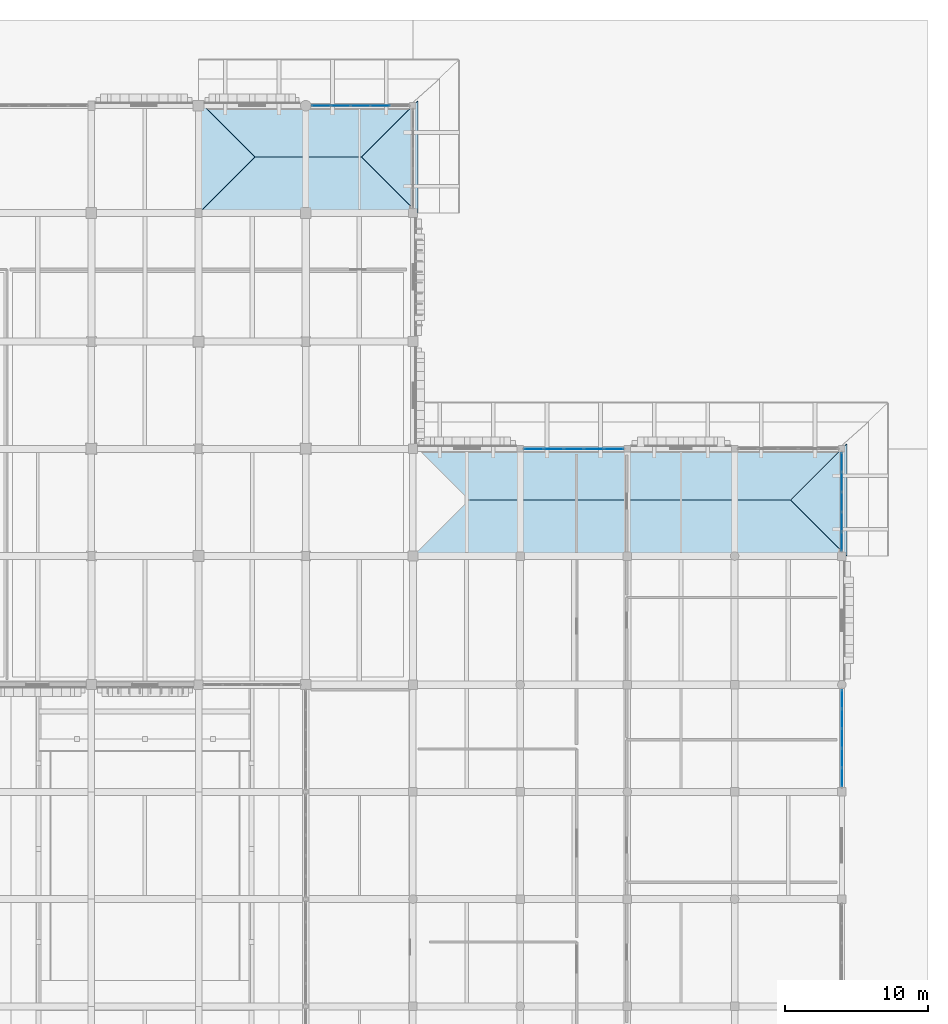
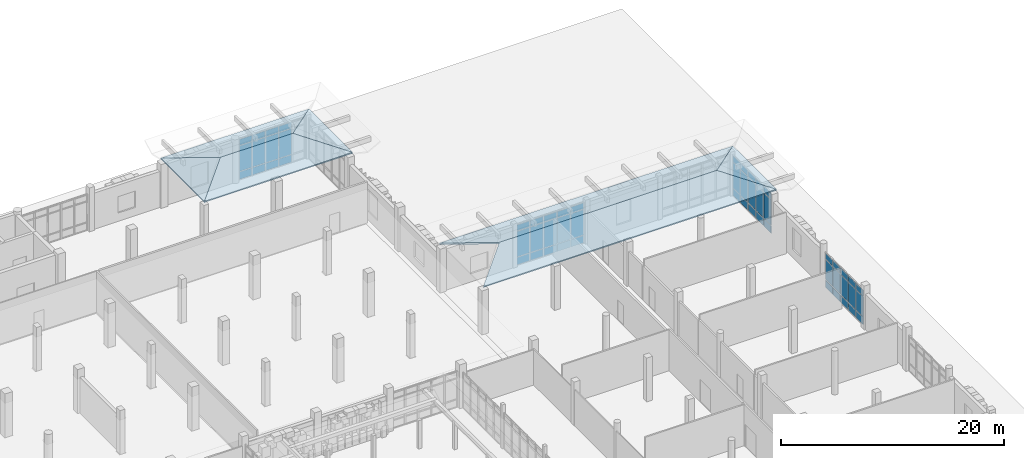
# One storey, part 85 of 125: 57 plates, 7 slabs, 6 elements without a shape of their own.
"""IFC4 building model written with IfcOpenShell, lengths in metres."""

import ifcopenshell
import ifcopenshell.guid

model = None  # the IFC model being written
_history = None  # IfcOwnerHistory: only IFC2X3 demands one
_inside = {}  # id of a spatial element -> (the spatial element, [elements in it])
_under = {}  # id of a project, library or spatial element -> (it, [spatial elements below it])
_declared = {}  # id of a project -> (the project, [libraries it declares])
_typed = {}  # id of a type object -> (the type object, [elements of that type])
_made_of = {}  # id of a material, layer set ... -> (it, [elements and type objects made of it])


def new_model(schema):
    """Start an empty IFC model of exactly this schema.

    Asked for "IFC4X3", IfcOpenShell would pick the latest addendum, in which some entities
    have other attributes; the version numbers below select the first issue.
    IFC2X3 requires an IfcOwnerHistory on every rooted entity: one is made here for all.
    """
    global model, _history
    if schema == "IFC4X3":
        model = ifcopenshell.file(schema_version=(4, 3, 0, 0))
    else:
        model = ifcopenshell.file(schema=schema)
    _inside.clear()
    _under.clear()
    _declared.clear()
    _typed.clear()
    _made_of.clear()
    _history = None
    if model.schema == "IFC2X3":
        org = make("IfcOrganization", Name="unknown")
        user = make(
            "IfcPersonAndOrganization",
            ThePerson=make("IfcPerson", FamilyName="unknown"),
            TheOrganization=org,
        )
        app = make(
            "IfcApplication",
            ApplicationDeveloper=org,
            Version="unknown",
            ApplicationFullName="unknown",
            ApplicationIdentifier="unknown",
        )
        _history = make(
            "IfcOwnerHistory",
            OwningUser=user,
            OwningApplication=app,
            ChangeAction="ADDED",
            CreationDate=0,
        )
    return model


def make(cls, **values):
    """One entity of the class cls with the attributes given. An attribute that is None is left unset."""
    return model.create_entity(
        cls, **{name: value for name, value in values.items() if value is not None}
    )


def rooted(cls, **values):
    """An entity with a GlobalId (a new one), such as an element, a storey or a relation."""
    return make(cls, GlobalId=ifcopenshell.guid.new(), OwnerHistory=_history, **values)


def si_unit(unit_type, name, prefix=None):
    """IfcSIUnit, for example si_unit("LENGTHUNIT", "METRE", prefix="MILLI")."""
    return make("IfcSIUnit", UnitType=unit_type, Prefix=prefix, Name=name)


def assignment(units):
    """IfcUnitAssignment: the units of a project."""
    return None if units is None else make("IfcUnitAssignment", Units=units)


def point(xyz):
    """IfcCartesianPoint."""
    return None if xyz is None else make("IfcCartesianPoint", Coordinates=xyz)


def direction(xyz):
    """IfcDirection."""
    return None if xyz is None else make("IfcDirection", DirectionRatios=xyz)


def frame(location, z_axis=None, x_axis=None):
    """IfcAxis2Placement3D, a coordinate frame: its origin and axes. An axis left out is left unset."""
    return make(
        "IfcAxis2Placement3D",
        Location=point(location),
        Axis=direction(z_axis),
        RefDirection=direction(x_axis),
    )


def frame_2d(location, x_axis=None):
    """IfcAxis2Placement2D, a coordinate frame in the plane: its origin and x axis."""
    return make(
        "IfcAxis2Placement2D", Location=point(location), RefDirection=direction(x_axis)
    )


def origin():
    """The frame at (0, 0, 0) with its axes left unset."""
    return frame((0.0, 0.0, 0.0))


def origin_2d():
    """The frame at (0, 0) in the plane with its x axis left unset."""
    return frame_2d((0.0, 0.0))


def place(relative_to, where):
    """IfcLocalPlacement: puts the frame where relative to a parent placement (None: the world)."""
    return make(
        "IfcLocalPlacement", PlacementRelTo=relative_to, RelativePlacement=where
    )


def context(
    kind, dimensions, precision=None, world=None, true_north=None, identifier=None
):
    """IfcGeometricRepresentationContext, for example the 3D "Model" context."""
    return make(
        "IfcGeometricRepresentationContext",
        ContextIdentifier=identifier,
        ContextType=kind,
        CoordinateSpaceDimension=dimensions,
        Precision=precision,
        WorldCoordinateSystem=world,
        TrueNorth=true_north,
    )


def subcontext(parent, identifier, kind, view, scale=None):
    """IfcGeometricRepresentationSubContext, for example "Body" below "Model"."""
    return make(
        "IfcGeometricRepresentationSubContext",
        ContextIdentifier=identifier,
        ContextType=kind,
        ParentContext=parent,
        TargetScale=scale,
        TargetView=view,
    )


def project(units=None, contexts=None):
    """IfcProject with its units and contexts."""
    return rooted(
        "IfcProject",
        Name="project",
        RepresentationContexts=contexts,
        UnitsInContext=assignment(units),
    )


def spatial(cls, under=None, at=None, **own):
    """A site, building, storey or space (cls), placed at a placement, below another one or the project."""
    s = rooted(cls, ObjectPlacement=at, **own)
    if under is not None:
        _under.setdefault(under.id(), (under, []))[1].append(s)
    return s


def polyline(points):
    """IfcPolyline through the points."""
    return make("IfcPolyline", Points=[point(p) for p in points])


def profile(cls, at=None, kind="AREA", **sizes):
    """A parametric profile (cls). Its sizes go by their IFC names, for example OverallWidth=200.0."""
    return make(cls, ProfileType=kind, Position=at, **sizes)


def rectangle(**sizes):
    """IfcRectangleProfileDef."""
    return profile("IfcRectangleProfileDef", **sizes)


def outline(outer, holes=None, kind="AREA"):
    """IfcArbitraryClosedProfileDef: a profile drawn as a closed curve; with holes, ...WithVoids."""
    if holes is None:
        return make("IfcArbitraryClosedProfileDef", ProfileType=kind, OuterCurve=outer)
    return make(
        "IfcArbitraryProfileDefWithVoids",
        ProfileType=kind,
        OuterCurve=outer,
        InnerCurves=holes,
    )


def extrude(swept, where, along, depth):
    """IfcExtrudedAreaSolid: the profile swept, set in the frame where, extruded along a direction by depth."""
    return make(
        "IfcExtrudedAreaSolid",
        SweptArea=swept,
        Position=where,
        ExtrudedDirection=direction(along),
        Depth=depth,
    )


def shape(context_of_items, identifier, shape_type, items):
    """IfcShapeRepresentation: the items that make up one representation, for example the "Body"."""
    return make(
        "IfcShapeRepresentation",
        ContextOfItems=context_of_items,
        RepresentationIdentifier=identifier,
        RepresentationType=shape_type,
        Items=items,
    )


def material(Name=None, Category=None):
    """IfcMaterial."""
    return make("IfcMaterial", Name=Name, Category=Category)


def layer(
    of_material, thickness, ventilated=None, Name=None, Category=None, Priority=None
):
    """IfcMaterialLayer: one layer of a wall or slab, of a material (None: an air gap)."""
    return make(
        "IfcMaterialLayer",
        Material=of_material,
        LayerThickness=thickness,
        IsVentilated=ventilated,
        Name=Name,
        Category=Category,
        Priority=Priority,
    )


def layer_set(layers, Name=None):
    """IfcMaterialLayerSet."""
    return make("IfcMaterialLayerSet", MaterialLayers=layers, LayerSetName=Name)


def made_of(thing, what):
    """Note that an element or type object is made of a material, layer set ...; save() writes the relation."""
    if what is not None:
        _made_of.setdefault(what.id(), (what, []))[1].append(thing)
    return thing


def type_object(cls, material=None, **own):
    """A type object (cls), such as IfcWallType, which elements share."""
    return made_of(rooted(cls, **own), material)


def element(
    cls,
    number,
    at=None,
    inside=None,
    cuts=None,
    type_object=None,
    material=None,
    context=None,
    identifier="Body",
    shape_type=None,
    held_by="IfcProductDefinitionShape",
    body=None,
    shapes=None,
    **own,
):
    """One element of the class cls, such as IfcWall. Its Tag is "e" and its number.

    at: its placement. inside: the storey or other place that contains it. cuts: it is an
    opening in that element (IfcRelVoidsElement). A single representation is given by context,
    identifier, shape_type and body (its items); several are given by shapes. held_by: the class
    of the entity that holds the representations. save() writes the other relations.
    """
    e = rooted(cls, Tag="e%d" % number, ObjectPlacement=at, **own)
    if body is not None:
        shapes = [shape(context, identifier, shape_type, body)]
    if shapes is not None:
        e.Representation = make(held_by, Representations=shapes)
    if inside is not None:
        _inside.setdefault(inside.id(), (inside, []))[1].append(e)
    if cuts is not None:
        rooted(
            "IfcRelVoidsElement", RelatingBuildingElement=cuts, RelatedOpeningElement=e
        )
    if type_object is not None:
        _typed.setdefault(type_object.id(), (type_object, []))[1].append(e)
    return made_of(e, material)


def aggregate(whole, parts):
    """IfcRelAggregates: a whole, such as a stair, and the parts it consists of."""
    return rooted("IfcRelAggregates", RelatingObject=whole, RelatedObjects=parts)


def save(model, path):
    """Write the relations noted so far, then the file.

    IfcRelAggregates (storeys below a building ...), IfcRelContainedInSpatialStructure (elements
    in a storey), IfcRelDefinesByType, IfcRelAssociatesMaterial and IfcRelDeclares: one each for
    every whole, place, type object, material and project.
    """
    for whole, parts in _under.values():
        aggregate(whole, parts)
    for where, things in _inside.values():
        rooted(
            "IfcRelContainedInSpatialStructure",
            RelatedElements=things,
            RelatingStructure=where,
        )
    for kind, things in _typed.values():
        rooted("IfcRelDefinesByType", RelatedObjects=things, RelatingType=kind)
    for what, things in _made_of.values():
        rooted("IfcRelAssociatesMaterial", RelatedObjects=things, RelatingMaterial=what)
    for by, libraries in _declared.values():
        rooted("IfcRelDeclares", RelatingContext=by, RelatedDefinitions=libraries)
    model.write(path)


model = new_model("IFC4")

# Units and contexts
model_context = context("Model", 3, precision=1e-05, world=origin(), true_north=direction((0.0, 1.0)))
body_context = subcontext(model_context, "Body", "Model", "MODEL_VIEW")
ifc_project = project(units=[si_unit("LENGTHUNIT", "METRE"), si_unit("AREAUNIT", "SQUARE_METRE"), si_unit("VOLUMEUNIT", "CUBIC_METRE"), si_unit("PLANEANGLEUNIT", "RADIAN"), si_unit("MASSUNIT", "GRAM", prefix="KILO")], contexts=[model_context])

# Site, building, storey
site_placement = place(None, origin())
site = spatial("IfcSite", under=ifc_project, at=site_placement, CompositionType="ELEMENT")
building_placement = place(site_placement, origin())
building = spatial("IfcBuilding", under=site, at=building_placement, Name="Dalvernix Boulevard General Hospital", CompositionType="ELEMENT")
storey_placement = place(building_placement, origin())
storey = spatial("IfcBuildingStorey", under=building, at=storey_placement, Name="L00", CompositionType="ELEMENT", Elevation=0.0)

# Curtain wall, plates
ifc_material_1 = material(Name="Thermally broken aluminium and solar-control glass curtain wall", Category="aluminium")
ifc_layer_1 = layer(ifc_material_1, 0.159912109375)
ifc_layer_set_1 = layer_set([ifc_layer_1], Name="Thermally broken aluminium and solar-control glass curtain wall (CW-CW-A-69x45)")
curtain_wall_type_1 = type_object("IfcCurtainWallType", Name="CW-CW-A-69x45", PredefinedType="USERDEFINED", material=ifc_layer_set_1)
curtain_wall_1_placement = place(storey_placement, origin())
curtain_wall_1 = element("IfcCurtainWall", 1, at=curtain_wall_1_placement, inside=storey, type_object=curtain_wall_type_1, Name="L00 curtain wall CW-A-69x45 18-15", ObjectType="GLAZED FACADE", PredefinedType="USERDEFINED")
ifc_material_2 = material(Name="Double-glazed solar-control low-emissivity glass", Category="glass")
ifc_layer_2 = layer(ifc_material_2, 0.02392578125)
ifc_layer_set_2 = layer_set([ifc_layer_2], Name="Double-glazed solar-control low-emissivity glass (PLT-CW-P1)")
plate_type_1 = type_object("IfcPlateType", Name="PLT-CW-P1", PredefinedType="CURTAIN_PANEL", material=ifc_layer_set_2)
plate_1_placement = place(storey_placement, frame((136.087890625, 117.0, 0.06005859375), z_axis=(0.0, 0.0, 1.0), x_axis=(1.0, 0.0, 0.0)))
plate_1 = element("IfcPlate", 2, at=plate_1_placement, type_object=plate_type_1, Name="CW-A-69x45 panel 1.1", PredefinedType="CURTAIN_PANEL", context=body_context, shape_type="SweptSolid", body=[
    extrude(rectangle(XDim=1.285888671875, YDim=0.02392578125, at=origin_2d()), origin(), (0.0, 0.0, 1.0), 0.81005859375),
])
plate_2_placement = place(storey_placement, frame((136.087890625, 117.0, 0.929931640625), z_axis=(0.0, 0.0, 1.0), x_axis=(1.0, 0.0, 0.0)))
plate_2 = element("IfcPlate", 3, at=plate_2_placement, type_object=plate_type_1, Name="CW-A-69x45 panel 1.2", PredefinedType="CURTAIN_PANEL", context=body_context, shape_type="SweptSolid", body=[
    extrude(rectangle(XDim=1.285888671875, YDim=0.02392578125, at=origin_2d()), origin(), (0.0, 0.0, 1.0), 2.7900390625),
])
plate_3_placement = place(storey_placement, frame((136.087890625, 117.0, 3.7802734375), z_axis=(0.0, 0.0, 1.0), x_axis=(1.0, 0.0, 0.0)))
plate_3 = element("IfcPlate", 4, at=plate_3_placement, type_object=plate_type_1, Name="CW-A-69x45 panel 1.3", PredefinedType="CURTAIN_PANEL", context=body_context, shape_type="SweptSolid", body=[
    extrude(rectangle(XDim=1.285888671875, YDim=0.02392578125, at=origin_2d()), origin(), (0.0, 0.0, 1.0), 0.659912109375),
])
plate_4_placement = place(storey_placement, frame((137.448974609375, 117.0, 0.06005859375), z_axis=(0.0, 0.0, 1.0), x_axis=(1.0, 0.0, 0.0)))
plate_4 = element("IfcPlate", 5, at=plate_4_placement, type_object=plate_type_1, Name="CW-A-69x45 panel 2.1", PredefinedType="CURTAIN_PANEL", context=body_context, shape_type="SweptSolid", body=[
    extrude(rectangle(XDim=1.31591796875, YDim=0.02392578125, at=origin_2d()), origin(), (0.0, 0.0, 1.0), 0.81005859375),
])
plate_5_placement = place(storey_placement, frame((137.448974609375, 117.0, 0.929931640625), z_axis=(0.0, 0.0, 1.0), x_axis=(1.0, 0.0, 0.0)))
plate_5 = element("IfcPlate", 6, at=plate_5_placement, type_object=plate_type_1, Name="CW-A-69x45 panel 2.2", PredefinedType="CURTAIN_PANEL", context=body_context, shape_type="SweptSolid", body=[
    extrude(rectangle(XDim=1.31591796875, YDim=0.02392578125, at=origin_2d()), origin(), (0.0, 0.0, 1.0), 2.7900390625),
])
plate_6_placement = place(storey_placement, frame((137.448974609375, 117.0, 3.7802734375), z_axis=(0.0, 0.0, 1.0), x_axis=(1.0, 0.0, 0.0)))
plate_6 = element("IfcPlate", 7, at=plate_6_placement, type_object=plate_type_1, Name="CW-A-69x45 panel 2.3", PredefinedType="CURTAIN_PANEL", context=body_context, shape_type="SweptSolid", body=[
    extrude(rectangle(XDim=1.31591796875, YDim=0.02392578125, at=origin_2d()), origin(), (0.0, 0.0, 1.0), 0.659912109375),
])
plate_7_placement = place(storey_placement, frame((138.824951171875, 117.0, 0.06005859375), z_axis=(0.0, 0.0, 1.0), x_axis=(1.0, 0.0, 0.0)))
plate_7 = element("IfcPlate", 8, at=plate_7_placement, type_object=plate_type_1, Name="CW-A-69x45 panel 3.1", PredefinedType="CURTAIN_PANEL", context=body_context, shape_type="SweptSolid", body=[
    extrude(rectangle(XDim=1.31591796875, YDim=0.02392578125, at=origin_2d()), origin(), (0.0, 0.0, 1.0), 0.81005859375),
])
plate_8_placement = place(storey_placement, frame((138.824951171875, 117.0, 0.929931640625), z_axis=(0.0, 0.0, 1.0), x_axis=(1.0, 0.0, 0.0)))
plate_8 = element("IfcPlate", 9, at=plate_8_placement, type_object=plate_type_1, Name="CW-A-69x45 panel 3.2", PredefinedType="CURTAIN_PANEL", context=body_context, shape_type="SweptSolid", body=[
    extrude(rectangle(XDim=1.31591796875, YDim=0.02392578125, at=origin_2d()), origin(), (0.0, 0.0, 1.0), 2.7900390625),
])
plate_9_placement = place(storey_placement, frame((138.824951171875, 117.0, 3.7802734375), z_axis=(0.0, 0.0, 1.0), x_axis=(1.0, 0.0, 0.0)))
plate_9 = element("IfcPlate", 10, at=plate_9_placement, type_object=plate_type_1, Name="CW-A-69x45 panel 3.3", PredefinedType="CURTAIN_PANEL", context=body_context, shape_type="SweptSolid", body=[
    extrude(rectangle(XDim=1.31591796875, YDim=0.02392578125, at=origin_2d()), origin(), (0.0, 0.0, 1.0), 0.659912109375),
])
plate_10_placement = place(storey_placement, frame((140.200927734375, 117.0, 0.06005859375), z_axis=(0.0, 0.0, 1.0), x_axis=(1.0, 0.0, 0.0)))
plate_10 = element("IfcPlate", 11, at=plate_10_placement, type_object=plate_type_1, Name="CW-A-69x45 panel 4.1", PredefinedType="CURTAIN_PANEL", context=body_context, shape_type="SweptSolid", body=[
    extrude(rectangle(XDim=1.31591796875, YDim=0.02392578125, at=origin_2d()), origin(), (0.0, 0.0, 1.0), 0.81005859375),
])
plate_11_placement = place(storey_placement, frame((140.200927734375, 117.0, 0.929931640625), z_axis=(0.0, 0.0, 1.0), x_axis=(1.0, 0.0, 0.0)))
plate_11 = element("IfcPlate", 12, at=plate_11_placement, type_object=plate_type_1, Name="CW-A-69x45 panel 4.2", PredefinedType="CURTAIN_PANEL", context=body_context, shape_type="SweptSolid", body=[
    extrude(rectangle(XDim=1.31591796875, YDim=0.02392578125, at=origin_2d()), origin(), (0.0, 0.0, 1.0), 2.7900390625),
])
plate_12_placement = place(storey_placement, frame((140.200927734375, 117.0, 3.7802734375), z_axis=(0.0, 0.0, 1.0), x_axis=(1.0, 0.0, 0.0)))
plate_12 = element("IfcPlate", 13, at=plate_12_placement, type_object=plate_type_1, Name="CW-A-69x45 panel 4.3", PredefinedType="CURTAIN_PANEL", context=body_context, shape_type="SweptSolid", body=[
    extrude(rectangle(XDim=1.31591796875, YDim=0.02392578125, at=origin_2d()), origin(), (0.0, 0.0, 1.0), 0.659912109375),
])
aggregate(curtain_wall_1, [plate_1, plate_2, plate_3, plate_4, plate_5, plate_6, plate_7, plate_8, plate_9, plate_10, plate_11, plate_12])

ifc_layer_3 = layer(ifc_material_1, 0.179931640625)
ifc_layer_set_3 = layer_set([ifc_layer_3], Name="Thermally broken aluminium and solar-control glass curtain wall (CW-CW-B-70x45)")
curtain_wall_type_2 = type_object("IfcCurtainWallType", Name="CW-CW-B-70x45", PredefinedType="USERDEFINED", material=ifc_layer_set_3)
curtain_wall_2_placement = place(storey_placement, origin())
curtain_wall_2 = element("IfcCurtainWall", 14, at=curtain_wall_2_placement, inside=storey, type_object=curtain_wall_type_2, Name="L00 curtain wall CW-B-70x45 23-11", ObjectType="GLAZED FACADE", PredefinedType="USERDEFINED")
ifc_layer_4 = layer(ifc_material_2, 0.028076171875)
ifc_layer_set_4 = layer_set([ifc_layer_4], Name="Double-glazed solar-control low-emissivity glass (PLT-CW-P2)")
plate_type_2 = type_object("IfcPlateType", Name="PLT-CW-P2", PredefinedType="CURTAIN_PANEL", material=ifc_layer_set_4)
plate_13_placement = place(storey_placement, frame((172.5, 92.05322265625, 0.06494140625), z_axis=(0.0, 0.0, 1.0), x_axis=(0.0, -1.0, 0.0)))
plate_13 = element("IfcPlate", 15, at=plate_13_placement, type_object=plate_type_2, Name="CW-B-70x45 panel 1.1", PredefinedType="CURTAIN_PANEL", context=body_context, shape_type="SweptSolid", body=[
    extrude(rectangle(XDim=1.29345703125, YDim=0.028076171875, at=origin_2d()), origin(), (0.0, 0.0, 1.0), 0.802490234375),
])
plate_14_placement = place(storey_placement, frame((172.5, 92.05322265625, 0.9326171875), z_axis=(0.0, 0.0, 1.0), x_axis=(0.0, -1.0, 0.0)))
plate_14 = element("IfcPlate", 16, at=plate_14_placement, type_object=plate_type_2, Name="CW-B-70x45 panel 1.2", PredefinedType="CURTAIN_PANEL", context=body_context, shape_type="SweptSolid", body=[
    extrude(rectangle(XDim=1.29345703125, YDim=0.028076171875, at=origin_2d()), origin(), (0.0, 0.0, 1.0), 2.784912109375),
])
plate_15_placement = place(storey_placement, frame((172.5, 92.05322265625, 3.7822265625), z_axis=(0.0, 0.0, 1.0), x_axis=(0.0, -1.0, 0.0)))
plate_15 = element("IfcPlate", 17, at=plate_15_placement, type_object=plate_type_2, Name="CW-B-70x45 panel 1.3", PredefinedType="CURTAIN_PANEL", context=body_context, shape_type="SweptSolid", body=[
    extrude(rectangle(XDim=1.29345703125, YDim=0.028076171875, at=origin_2d()), origin(), (0.0, 0.0, 1.0), 0.652587890625),
])
plate_16_placement = place(storey_placement, frame((172.5, 90.678466796875, 0.06494140625), z_axis=(0.0, 0.0, 1.0), x_axis=(0.0, -1.0, 0.0)))
plate_16 = element("IfcPlate", 18, at=plate_16_placement, type_object=plate_type_2, Name="CW-B-70x45 panel 2.1", PredefinedType="CURTAIN_PANEL", context=body_context, shape_type="SweptSolid", body=[
    extrude(rectangle(XDim=1.325927734375, YDim=0.028076171875, at=origin_2d()), origin(), (0.0, 0.0, 1.0), 0.802490234375),
])
plate_17_placement = place(storey_placement, frame((172.5, 90.678466796875, 0.9326171875), z_axis=(0.0, 0.0, 1.0), x_axis=(0.0, -1.0, 0.0)))
plate_17 = element("IfcPlate", 19, at=plate_17_placement, type_object=plate_type_2, Name="CW-B-70x45 panel 2.2", PredefinedType="CURTAIN_PANEL", context=body_context, shape_type="SweptSolid", body=[
    extrude(rectangle(XDim=1.325927734375, YDim=0.028076171875, at=origin_2d()), origin(), (0.0, 0.0, 1.0), 2.784912109375),
])
plate_18_placement = place(storey_placement, frame((172.5, 90.678466796875, 3.7822265625), z_axis=(0.0, 0.0, 1.0), x_axis=(0.0, -1.0, 0.0)))
plate_18 = element("IfcPlate", 20, at=plate_18_placement, type_object=plate_type_2, Name="CW-B-70x45 panel 2.3", PredefinedType="CURTAIN_PANEL", context=body_context, shape_type="SweptSolid", body=[
    extrude(rectangle(XDim=1.325927734375, YDim=0.028076171875, at=origin_2d()), origin(), (0.0, 0.0, 1.0), 0.652587890625),
])
plate_19_placement = place(storey_placement, frame((172.5, 89.28759765625, 0.06494140625), z_axis=(0.0, 0.0, 1.0), x_axis=(0.0, -1.0, 0.0)))
plate_19 = element("IfcPlate", 21, at=plate_19_placement, type_object=plate_type_2, Name="CW-B-70x45 panel 3.1", PredefinedType="CURTAIN_PANEL", context=body_context, shape_type="SweptSolid", body=[
    extrude(rectangle(XDim=1.325927734375, YDim=0.028076171875, at=origin_2d()), origin(), (0.0, 0.0, 1.0), 0.802490234375),
])
plate_20_placement = place(storey_placement, frame((172.5, 89.28759765625, 0.9326171875), z_axis=(0.0, 0.0, 1.0), x_axis=(0.0, -1.0, 0.0)))
plate_20 = element("IfcPlate", 22, at=plate_20_placement, type_object=plate_type_2, Name="CW-B-70x45 panel 3.2", PredefinedType="CURTAIN_PANEL", context=body_context, shape_type="SweptSolid", body=[
    extrude(rectangle(XDim=1.325927734375, YDim=0.028076171875, at=origin_2d()), origin(), (0.0, 0.0, 1.0), 2.784912109375),
])
plate_21_placement = place(storey_placement, frame((172.5, 89.28759765625, 3.7822265625), z_axis=(0.0, 0.0, 1.0), x_axis=(0.0, -1.0, 0.0)))
plate_21 = element("IfcPlate", 23, at=plate_21_placement, type_object=plate_type_2, Name="CW-B-70x45 panel 3.3", PredefinedType="CURTAIN_PANEL", context=body_context, shape_type="SweptSolid", body=[
    extrude(rectangle(XDim=1.325927734375, YDim=0.028076171875, at=origin_2d()), origin(), (0.0, 0.0, 1.0), 0.652587890625),
])
plate_22_placement = place(storey_placement, frame((172.5, 87.896484375, 0.06494140625), z_axis=(0.0, 0.0, 1.0), x_axis=(0.0, -1.0, 0.0)))
plate_22 = element("IfcPlate", 24, at=plate_22_placement, type_object=plate_type_2, Name="CW-B-70x45 panel 4.1", PredefinedType="CURTAIN_PANEL", context=body_context, shape_type="SweptSolid", body=[
    extrude(rectangle(XDim=1.325927734375, YDim=0.028076171875, at=origin_2d()), origin(), (0.0, 0.0, 1.0), 0.802490234375),
])
plate_23_placement = place(storey_placement, frame((172.5, 87.896484375, 0.9326171875), z_axis=(0.0, 0.0, 1.0), x_axis=(0.0, -1.0, 0.0)))
plate_23 = element("IfcPlate", 25, at=plate_23_placement, type_object=plate_type_2, Name="CW-B-70x45 panel 4.2", PredefinedType="CURTAIN_PANEL", context=body_context, shape_type="SweptSolid", body=[
    extrude(rectangle(XDim=1.325927734375, YDim=0.028076171875, at=origin_2d()), origin(), (0.0, 0.0, 1.0), 2.784912109375),
])
plate_24_placement = place(storey_placement, frame((172.5, 87.896484375, 3.7822265625), z_axis=(0.0, 0.0, 1.0), x_axis=(0.0, -1.0, 0.0)))
plate_24 = element("IfcPlate", 26, at=plate_24_placement, type_object=plate_type_2, Name="CW-B-70x45 panel 4.3", PredefinedType="CURTAIN_PANEL", context=body_context, shape_type="SweptSolid", body=[
    extrude(rectangle(XDim=1.325927734375, YDim=0.028076171875, at=origin_2d()), origin(), (0.0, 0.0, 1.0), 0.652587890625),
])
plate_25_placement = place(storey_placement, frame((172.5, 86.521728515625, 0.06494140625), z_axis=(0.0, 0.0, 1.0), x_axis=(0.0, -1.0, 0.0)))
plate_25 = element("IfcPlate", 27, at=plate_25_placement, type_object=plate_type_2, Name="CW-B-70x45 panel 5.1", PredefinedType="CURTAIN_PANEL", context=body_context, shape_type="SweptSolid", body=[
    extrude(rectangle(XDim=1.29345703125, YDim=0.028076171875, at=origin_2d()), origin(), (0.0, 0.0, 1.0), 0.802490234375),
])
plate_26_placement = place(storey_placement, frame((172.5, 86.521728515625, 0.9326171875), z_axis=(0.0, 0.0, 1.0), x_axis=(0.0, -1.0, 0.0)))
plate_26 = element("IfcPlate", 28, at=plate_26_placement, type_object=plate_type_2, Name="CW-B-70x45 panel 5.2", PredefinedType="CURTAIN_PANEL", context=body_context, shape_type="SweptSolid", body=[
    extrude(rectangle(XDim=1.29345703125, YDim=0.028076171875, at=origin_2d()), origin(), (0.0, 0.0, 1.0), 2.784912109375),
])
plate_27_placement = place(storey_placement, frame((172.5, 86.521728515625, 3.7822265625), z_axis=(0.0, 0.0, 1.0), x_axis=(0.0, -1.0, 0.0)))
plate_27 = element("IfcPlate", 29, at=plate_27_placement, type_object=plate_type_2, Name="CW-B-70x45 panel 5.3", PredefinedType="CURTAIN_PANEL", context=body_context, shape_type="SweptSolid", body=[
    extrude(rectangle(XDim=1.29345703125, YDim=0.028076171875, at=origin_2d()), origin(), (0.0, 0.0, 1.0), 0.652587890625),
])
aggregate(curtain_wall_2, [plate_13, plate_14, plate_15, plate_16, plate_17, plate_18, plate_19, plate_20, plate_21, plate_22, plate_23, plate_24, plate_25, plate_26, plate_27])

ifc_layer_5 = layer(ifc_material_1, 0.199951171875)
ifc_layer_set_5 = layer_set([ifc_layer_5], Name="Thermally broken aluminium and solar-control glass curtain wall (CW-CW-C-70x45)")
curtain_wall_type_3 = type_object("IfcCurtainWallType", Name="CW-CW-C-70x45", PredefinedType="USERDEFINED", material=ifc_layer_set_5)
curtain_wall_3_placement = place(storey_placement, origin())
curtain_wall_3 = element("IfcCurtainWall", 30, at=curtain_wall_3_placement, inside=storey, type_object=curtain_wall_type_3, Name="L00 curtain wall CW-C-70x45 20-12", ObjectType="GLAZED FACADE", PredefinedType="USERDEFINED")
ifc_layer_6 = layer(ifc_material_2, 0.035888671875)
ifc_layer_set_6 = layer_set([ifc_layer_6], Name="Double-glazed solar-control low-emissivity glass (PLT-CW-P3)")
plate_type_3 = type_object("IfcPlateType", Name="PLT-CW-P3", PredefinedType="CURTAIN_PANEL", material=ifc_layer_set_6)
plate_28_placement = place(storey_placement, frame((150.95556640625, 93.0, 0.070068359375), z_axis=(0.0, 0.0, 1.0), x_axis=(1.0, 0.0, 0.0)))
plate_28 = element("IfcPlate", 31, at=plate_28_placement, type_object=plate_type_3, Name="CW-C-70x45 panel 1.1", PredefinedType="CURTAIN_PANEL", context=body_context, shape_type="SweptSolid", body=[
    extrude(rectangle(XDim=1.301025390625, YDim=0.035888671875, at=origin_2d()), origin(), (0.0, 0.0, 1.0), 0.794921875),
])
plate_29_placement = place(storey_placement, frame((150.95556640625, 93.0, 0.93505859375), z_axis=(0.0, 0.0, 1.0), x_axis=(1.0, 0.0, 0.0)))
plate_29 = element("IfcPlate", 32, at=plate_29_placement, type_object=plate_type_3, Name="CW-C-70x45 panel 1.2", PredefinedType="CURTAIN_PANEL", context=body_context, shape_type="SweptSolid", body=[
    extrude(rectangle(XDim=1.301025390625, YDim=0.035888671875, at=origin_2d()), origin(), (0.0, 0.0, 1.0), 2.780029296875),
])
plate_30_placement = place(storey_placement, frame((150.95556640625, 93.0, 3.784912109375), z_axis=(0.0, 0.0, 1.0), x_axis=(1.0, 0.0, 0.0)))
plate_30 = element("IfcPlate", 33, at=plate_30_placement, type_object=plate_type_3, Name="CW-C-70x45 panel 1.3", PredefinedType="CURTAIN_PANEL", context=body_context, shape_type="SweptSolid", body=[
    extrude(rectangle(XDim=1.301025390625, YDim=0.035888671875, at=origin_2d()), origin(), (0.0, 0.0, 1.0), 0.64501953125),
])
plate_31_placement = place(storey_placement, frame((152.343994140625, 93.0, 0.070068359375), z_axis=(0.0, 0.0, 1.0), x_axis=(1.0, 0.0, 0.0)))
plate_31 = element("IfcPlate", 34, at=plate_31_placement, type_object=plate_type_3, Name="CW-C-70x45 panel 2.1", PredefinedType="CURTAIN_PANEL", context=body_context, shape_type="SweptSolid", body=[
    extrude(rectangle(XDim=1.3359375, YDim=0.035888671875, at=origin_2d()), origin(), (0.0, 0.0, 1.0), 0.794921875),
])
plate_32_placement = place(storey_placement, frame((152.343994140625, 93.0, 0.93505859375), z_axis=(0.0, 0.0, 1.0), x_axis=(1.0, 0.0, 0.0)))
plate_32 = element("IfcPlate", 35, at=plate_32_placement, type_object=plate_type_3, Name="CW-C-70x45 panel 2.2", PredefinedType="CURTAIN_PANEL", context=body_context, shape_type="SweptSolid", body=[
    extrude(rectangle(XDim=1.3359375, YDim=0.035888671875, at=origin_2d()), origin(), (0.0, 0.0, 1.0), 2.780029296875),
])
plate_33_placement = place(storey_placement, frame((152.343994140625, 93.0, 3.784912109375), z_axis=(0.0, 0.0, 1.0), x_axis=(1.0, 0.0, 0.0)))
plate_33 = element("IfcPlate", 36, at=plate_33_placement, type_object=plate_type_3, Name="CW-C-70x45 panel 2.3", PredefinedType="CURTAIN_PANEL", context=body_context, shape_type="SweptSolid", body=[
    extrude(rectangle(XDim=1.3359375, YDim=0.035888671875, at=origin_2d()), origin(), (0.0, 0.0, 1.0), 0.64501953125),
])
plate_34_placement = place(storey_placement, frame((153.75, 93.0, 0.070068359375), z_axis=(0.0, 0.0, 1.0), x_axis=(1.0, 0.0, 0.0)))
plate_34 = element("IfcPlate", 37, at=plate_34_placement, type_object=plate_type_3, Name="CW-C-70x45 panel 3.1", PredefinedType="CURTAIN_PANEL", context=body_context, shape_type="SweptSolid", body=[
    extrude(rectangle(XDim=1.3359375, YDim=0.035888671875, at=origin_2d()), origin(), (0.0, 0.0, 1.0), 0.794921875),
])
plate_35_placement = place(storey_placement, frame((153.75, 93.0, 0.93505859375), z_axis=(0.0, 0.0, 1.0), x_axis=(1.0, 0.0, 0.0)))
plate_35 = element("IfcPlate", 38, at=plate_35_placement, type_object=plate_type_3, Name="CW-C-70x45 panel 3.2", PredefinedType="CURTAIN_PANEL", context=body_context, shape_type="SweptSolid", body=[
    extrude(rectangle(XDim=1.3359375, YDim=0.035888671875, at=origin_2d()), origin(), (0.0, 0.0, 1.0), 2.780029296875),
])
plate_36_placement = place(storey_placement, frame((153.75, 93.0, 3.784912109375), z_axis=(0.0, 0.0, 1.0), x_axis=(1.0, 0.0, 0.0)))
plate_36 = element("IfcPlate", 39, at=plate_36_placement, type_object=plate_type_3, Name="CW-C-70x45 panel 3.3", PredefinedType="CURTAIN_PANEL", context=body_context, shape_type="SweptSolid", body=[
    extrude(rectangle(XDim=1.3359375, YDim=0.035888671875, at=origin_2d()), origin(), (0.0, 0.0, 1.0), 0.64501953125),
])
plate_37_placement = place(storey_placement, frame((155.156005859375, 93.0, 0.070068359375), z_axis=(0.0, 0.0, 1.0), x_axis=(1.0, 0.0, 0.0)))
plate_37 = element("IfcPlate", 40, at=plate_37_placement, type_object=plate_type_3, Name="CW-C-70x45 panel 4.1", PredefinedType="CURTAIN_PANEL", context=body_context, shape_type="SweptSolid", body=[
    extrude(rectangle(XDim=1.3359375, YDim=0.035888671875, at=origin_2d()), origin(), (0.0, 0.0, 1.0), 0.794921875),
])
plate_38_placement = place(storey_placement, frame((155.156005859375, 93.0, 0.93505859375), z_axis=(0.0, 0.0, 1.0), x_axis=(1.0, 0.0, 0.0)))
plate_38 = element("IfcPlate", 41, at=plate_38_placement, type_object=plate_type_3, Name="CW-C-70x45 panel 4.2", PredefinedType="CURTAIN_PANEL", context=body_context, shape_type="SweptSolid", body=[
    extrude(rectangle(XDim=1.3359375, YDim=0.035888671875, at=origin_2d()), origin(), (0.0, 0.0, 1.0), 2.780029296875),
])
plate_39_placement = place(storey_placement, frame((155.156005859375, 93.0, 3.784912109375), z_axis=(0.0, 0.0, 1.0), x_axis=(1.0, 0.0, 0.0)))
plate_39 = element("IfcPlate", 42, at=plate_39_placement, type_object=plate_type_3, Name="CW-C-70x45 panel 4.3", PredefinedType="CURTAIN_PANEL", context=body_context, shape_type="SweptSolid", body=[
    extrude(rectangle(XDim=1.3359375, YDim=0.035888671875, at=origin_2d()), origin(), (0.0, 0.0, 1.0), 0.64501953125),
])
plate_40_placement = place(storey_placement, frame((156.54443359375, 93.0, 0.070068359375), z_axis=(0.0, 0.0, 1.0), x_axis=(1.0, 0.0, 0.0)))
plate_40 = element("IfcPlate", 43, at=plate_40_placement, type_object=plate_type_3, Name="CW-C-70x45 panel 5.1", PredefinedType="CURTAIN_PANEL", context=body_context, shape_type="SweptSolid", body=[
    extrude(rectangle(XDim=1.301025390625, YDim=0.035888671875, at=origin_2d()), origin(), (0.0, 0.0, 1.0), 0.794921875),
])
plate_41_placement = place(storey_placement, frame((156.54443359375, 93.0, 0.93505859375), z_axis=(0.0, 0.0, 1.0), x_axis=(1.0, 0.0, 0.0)))
plate_41 = element("IfcPlate", 44, at=plate_41_placement, type_object=plate_type_3, Name="CW-C-70x45 panel 5.2", PredefinedType="CURTAIN_PANEL", context=body_context, shape_type="SweptSolid", body=[
    extrude(rectangle(XDim=1.301025390625, YDim=0.035888671875, at=origin_2d()), origin(), (0.0, 0.0, 1.0), 2.780029296875),
])
plate_42_placement = place(storey_placement, frame((156.54443359375, 93.0, 3.784912109375), z_axis=(0.0, 0.0, 1.0), x_axis=(1.0, 0.0, 0.0)))
plate_42 = element("IfcPlate", 45, at=plate_42_placement, type_object=plate_type_3, Name="CW-C-70x45 panel 5.3", PredefinedType="CURTAIN_PANEL", context=body_context, shape_type="SweptSolid", body=[
    extrude(rectangle(XDim=1.301025390625, YDim=0.035888671875, at=origin_2d()), origin(), (0.0, 0.0, 1.0), 0.64501953125),
])
aggregate(curtain_wall_3, [plate_28, plate_29, plate_30, plate_31, plate_32, plate_33, plate_34, plate_35, plate_36, plate_37, plate_38, plate_39, plate_40, plate_41, plate_42])

ifc_layer_7 = layer(ifc_material_1, 0.199951171875)
ifc_layer_set_7 = layer_set([ifc_layer_7], Name="Thermally broken aluminium and solar-control glass curtain wall (CW-CW-C-69x39)")
curtain_wall_type_4 = type_object("IfcCurtainWallType", Name="CW-CW-C-69x39", PredefinedType="USERDEFINED", material=ifc_layer_set_7)
curtain_wall_4_placement = place(storey_placement, origin())
curtain_wall_4 = element("IfcCurtainWall", 46, at=curtain_wall_4_placement, inside=storey, type_object=curtain_wall_type_4, Name="L00 curtain wall CW-C-69x39 23-9", ObjectType="GLAZED FACADE", PredefinedType="USERDEFINED")
plate_43_placement = place(storey_placement, frame((172.5, 75.484619140625, 0.070068359375), z_axis=(0.0, 0.0, 1.0), x_axis=(0.0, -1.0, 0.0)))
plate_43 = element("IfcPlate", 47, at=plate_43_placement, type_object=plate_type_3, Name="CW-C-69x39 panel 1.1", PredefinedType="CURTAIN_PANEL", context=body_context, shape_type="SweptSolid", body=[
    extrude(rectangle(XDim=1.27099609375, YDim=0.035888671875, at=origin_2d()), origin(), (0.0, 0.0, 1.0), 0.794921875),
])
plate_44_placement = place(storey_placement, frame((172.5, 75.484619140625, 0.93505859375), z_axis=(0.0, 0.0, 1.0), x_axis=(0.0, -1.0, 0.0)))
plate_44 = element("IfcPlate", 48, at=plate_44_placement, type_object=plate_type_3, Name="CW-C-69x39 panel 1.2", PredefinedType="CURTAIN_PANEL", context=body_context, shape_type="SweptSolid", body=[
    extrude(rectangle(XDim=1.27099609375, YDim=0.035888671875, at=origin_2d()), origin(), (0.0, 0.0, 1.0), 2.179931640625),
])
plate_45_placement = place(storey_placement, frame((172.5, 75.484619140625, 3.18505859375), z_axis=(0.0, 0.0, 1.0), x_axis=(0.0, -1.0, 0.0)))
plate_45 = element("IfcPlate", 49, at=plate_45_placement, type_object=plate_type_3, Name="CW-C-69x39 panel 1.3", PredefinedType="CURTAIN_PANEL", context=body_context, shape_type="SweptSolid", body=[
    extrude(rectangle(XDim=1.27099609375, YDim=0.035888671875, at=origin_2d()), origin(), (0.0, 0.0, 1.0), 0.64501953125),
])
plate_46_placement = place(storey_placement, frame((172.5, 74.1259765625, 0.070068359375), z_axis=(0.0, 0.0, 1.0), x_axis=(0.0, -1.0, 0.0)))
plate_46 = element("IfcPlate", 50, at=plate_46_placement, type_object=plate_type_3, Name="CW-C-69x39 panel 2.1", PredefinedType="CURTAIN_PANEL", context=body_context, shape_type="SweptSolid", body=[
    extrude(rectangle(XDim=1.305908203125, YDim=0.035888671875, at=origin_2d()), origin(), (0.0, 0.0, 1.0), 0.794921875),
])
plate_47_placement = place(storey_placement, frame((172.5, 74.1259765625, 0.93505859375), z_axis=(0.0, 0.0, 1.0), x_axis=(0.0, -1.0, 0.0)))
plate_47 = element("IfcPlate", 51, at=plate_47_placement, type_object=plate_type_3, Name="CW-C-69x39 panel 2.2", PredefinedType="CURTAIN_PANEL", context=body_context, shape_type="SweptSolid", body=[
    extrude(rectangle(XDim=1.305908203125, YDim=0.035888671875, at=origin_2d()), origin(), (0.0, 0.0, 1.0), 2.179931640625),
])
plate_48_placement = place(storey_placement, frame((172.5, 74.1259765625, 3.18505859375), z_axis=(0.0, 0.0, 1.0), x_axis=(0.0, -1.0, 0.0)))
plate_48 = element("IfcPlate", 52, at=plate_48_placement, type_object=plate_type_3, Name="CW-C-69x39 panel 2.3", PredefinedType="CURTAIN_PANEL", context=body_context, shape_type="SweptSolid", body=[
    extrude(rectangle(XDim=1.305908203125, YDim=0.035888671875, at=origin_2d()), origin(), (0.0, 0.0, 1.0), 0.64501953125),
])
plate_49_placement = place(storey_placement, frame((172.5, 72.75, 0.070068359375), z_axis=(0.0, 0.0, 1.0), x_axis=(0.0, -1.0, 0.0)))
plate_49 = element("IfcPlate", 53, at=plate_49_placement, type_object=plate_type_3, Name="CW-C-69x39 panel 3.1", PredefinedType="CURTAIN_PANEL", context=body_context, shape_type="SweptSolid", body=[
    extrude(rectangle(XDim=1.305908203125, YDim=0.035888671875, at=origin_2d()), origin(), (0.0, 0.0, 1.0), 0.794921875),
])
plate_50_placement = place(storey_placement, frame((172.5, 72.75, 0.93505859375), z_axis=(0.0, 0.0, 1.0), x_axis=(0.0, -1.0, 0.0)))
plate_50 = element("IfcPlate", 54, at=plate_50_placement, type_object=plate_type_3, Name="CW-C-69x39 panel 3.2", PredefinedType="CURTAIN_PANEL", context=body_context, shape_type="SweptSolid", body=[
    extrude(rectangle(XDim=1.305908203125, YDim=0.035888671875, at=origin_2d()), origin(), (0.0, 0.0, 1.0), 2.179931640625),
])
plate_51_placement = place(storey_placement, frame((172.5, 72.75, 3.18505859375), z_axis=(0.0, 0.0, 1.0), x_axis=(0.0, -1.0, 0.0)))
plate_51 = element("IfcPlate", 55, at=plate_51_placement, type_object=plate_type_3, Name="CW-C-69x39 panel 3.3", PredefinedType="CURTAIN_PANEL", context=body_context, shape_type="SweptSolid", body=[
    extrude(rectangle(XDim=1.305908203125, YDim=0.035888671875, at=origin_2d()), origin(), (0.0, 0.0, 1.0), 0.64501953125),
])
plate_52_placement = place(storey_placement, frame((172.5, 71.3740234375, 0.070068359375), z_axis=(0.0, 0.0, 1.0), x_axis=(0.0, -1.0, 0.0)))
plate_52 = element("IfcPlate", 56, at=plate_52_placement, type_object=plate_type_3, Name="CW-C-69x39 panel 4.1", PredefinedType="CURTAIN_PANEL", context=body_context, shape_type="SweptSolid", body=[
    extrude(rectangle(XDim=1.305908203125, YDim=0.035888671875, at=origin_2d()), origin(), (0.0, 0.0, 1.0), 0.794921875),
])
plate_53_placement = place(storey_placement, frame((172.5, 71.3740234375, 0.93505859375), z_axis=(0.0, 0.0, 1.0), x_axis=(0.0, -1.0, 0.0)))
plate_53 = element("IfcPlate", 57, at=plate_53_placement, type_object=plate_type_3, Name="CW-C-69x39 panel 4.2", PredefinedType="CURTAIN_PANEL", context=body_context, shape_type="SweptSolid", body=[
    extrude(rectangle(XDim=1.305908203125, YDim=0.035888671875, at=origin_2d()), origin(), (0.0, 0.0, 1.0), 2.179931640625),
])
plate_54_placement = place(storey_placement, frame((172.5, 71.3740234375, 3.18505859375), z_axis=(0.0, 0.0, 1.0), x_axis=(0.0, -1.0, 0.0)))
plate_54 = element("IfcPlate", 58, at=plate_54_placement, type_object=plate_type_3, Name="CW-C-69x39 panel 4.3", PredefinedType="CURTAIN_PANEL", context=body_context, shape_type="SweptSolid", body=[
    extrude(rectangle(XDim=1.305908203125, YDim=0.035888671875, at=origin_2d()), origin(), (0.0, 0.0, 1.0), 0.64501953125),
])
plate_55_placement = place(storey_placement, frame((172.5, 70.015380859375, 0.070068359375), z_axis=(0.0, 0.0, 1.0), x_axis=(0.0, -1.0, 0.0)))
plate_55 = element("IfcPlate", 59, at=plate_55_placement, type_object=plate_type_3, Name="CW-C-69x39 panel 5.1", PredefinedType="CURTAIN_PANEL", context=body_context, shape_type="SweptSolid", body=[
    extrude(rectangle(XDim=1.27099609375, YDim=0.035888671875, at=origin_2d()), origin(), (0.0, 0.0, 1.0), 0.794921875),
])
plate_56_placement = place(storey_placement, frame((172.5, 70.015380859375, 0.93505859375), z_axis=(0.0, 0.0, 1.0), x_axis=(0.0, -1.0, 0.0)))
plate_56 = element("IfcPlate", 60, at=plate_56_placement, type_object=plate_type_3, Name="CW-C-69x39 panel 5.2", PredefinedType="CURTAIN_PANEL", context=body_context, shape_type="SweptSolid", body=[
    extrude(rectangle(XDim=1.27099609375, YDim=0.035888671875, at=origin_2d()), origin(), (0.0, 0.0, 1.0), 2.179931640625),
])
plate_57_placement = place(storey_placement, frame((172.5, 70.015380859375, 3.18505859375), z_axis=(0.0, 0.0, 1.0), x_axis=(0.0, -1.0, 0.0)))
plate_57 = element("IfcPlate", 61, at=plate_57_placement, type_object=plate_type_3, Name="CW-C-69x39 panel 5.3", PredefinedType="CURTAIN_PANEL", context=body_context, shape_type="SweptSolid", body=[
    extrude(rectangle(XDim=1.27099609375, YDim=0.035888671875, at=origin_2d()), origin(), (0.0, 0.0, 1.0), 0.64501953125),
])
aggregate(curtain_wall_4, [plate_43, plate_44, plate_45, plate_46, plate_47, plate_48, plate_49, plate_50, plate_51, plate_52, plate_53, plate_54, plate_55, plate_56, plate_57])

# Roof, slabs
ifc_material_3 = material(Name="Polychrome Catalan glazed terracotta tile roof system", Category="masonry")
roof_type = type_object("IfcRoofType", Name="ROOF-HIP-01", PredefinedType="HIP_ROOF", material=ifc_material_3)
roof_1_placement = place(storey_placement, origin())
roof_1 = element("IfcRoof", 62, at=roof_1_placement, inside=storey, type_object=roof_type, Name="V3-L00NE Hipped Ceramic Roof", PredefinedType="HIP_ROOF")
ifc_material_4 = material(Name="Glulam GL28h", Category="wood")
ifc_layer_8 = layer(ifc_material_4, 0.159912109375)
ifc_layer_set_8 = layer_set([ifc_layer_8], Name="Glulam GL28h (SLB-RS-04)")
slab_type = type_object("IfcSlabType", Name="SLB-RS-04", PredefinedType="ROOF", material=ifc_layer_set_8)
slab_1_placement = place(storey_placement, frame((127.5, 109.5, 4.966064453125), z_axis=(0.0, -0.265536966303, 0.964100679144), x_axis=(1.0, 0.0, 0.0)))
slab_1 = element("IfcSlab", 63, at=slab_1_placement, type_object=slab_type, Name="V3-L00NE hipped roof slab S", PredefinedType="ROOF", context=body_context, shape_type="SweptSolid", body=[
    extrude(outline(polyline([(0.0, 0.0), (15.35009765625, 0.0), (11.425048828125, 4.07120222299644), (3.925048828125, 4.07120222299644), (0.0, 0.0)])), origin(), (0.0, 0.0, -1.0), 0.159912109375),
])
slab_2_placement = place(storey_placement, frame((142.85009765625, 117.35009765625, 4.966064453125), z_axis=(0.0, 0.265536966303, 0.964100679144), x_axis=(-1.0, 0.0, 0.0)))
slab_2 = element("IfcSlab", 64, at=slab_2_placement, type_object=slab_type, Name="V3-L00NE hipped roof slab N", PredefinedType="ROOF", context=body_context, shape_type="SweptSolid", body=[
    extrude(outline(polyline([(0.0, 0.0), (15.35009765625, 0.0), (11.425048828125, 4.07120222299644), (3.925048828125, 4.07120222299644), (0.0, 0.0)])), origin(), (0.0, 0.0, -1.0), 0.159912109375),
])
slab_3_placement = place(storey_placement, frame((127.5, 117.35009765625, 4.966064453125), z_axis=(-0.265536966303, 0.0, 0.964100679144), x_axis=(0.0, -1.0, 0.0)))
slab_3 = element("IfcSlab", 65, at=slab_3_placement, type_object=slab_type, Name="V3-L00NE hipped roof slab W", PredefinedType="ROOF", context=body_context, shape_type="SweptSolid", body=[
    extrude(outline(polyline([(0.0, 0.0), (7.85009765625, 0.0), (3.925048828125, 4.07120222299644), (0.0, 0.0)])), origin(), (0.0, 0.0, -1.0), 0.159912109375),
])
slab_4_placement = place(storey_placement, frame((142.85009765625, 109.5, 4.966064453125), z_axis=(0.265536966303, 0.0, 0.964100679144), x_axis=(0.0, 1.0, 0.0)))
slab_4 = element("IfcSlab", 66, at=slab_4_placement, type_object=slab_type, Name="V3-L00NE hipped roof slab E", PredefinedType="ROOF", context=body_context, shape_type="SweptSolid", body=[
    extrude(outline(polyline([(0.0, 0.0), (7.85009765625, 0.0), (3.925048828125, 4.07120222299644), (0.0, 0.0)])), origin(), (0.0, 0.0, -1.0), 0.159912109375),
])
aggregate(roof_1, [slab_1, slab_2, slab_3, slab_4])

roof_2_placement = place(storey_placement, origin())
roof_2 = element("IfcRoof", 67, at=roof_2_placement, inside=storey, type_object=roof_type, Name="V2-L00N Hipped Ceramic Roof", PredefinedType="HIP_ROOF")
slab_5_placement = place(storey_placement, frame((142.5, 85.5, 4.966064453125), z_axis=(0.0, -0.265536966303, 0.964100679144), x_axis=(1.0, 0.0, 0.0)))
slab_5 = element("IfcSlab", 68, at=slab_5_placement, type_object=slab_type, Name="V2-L00N hipped roof slab S", PredefinedType="ROOF", context=body_context, shape_type="SweptSolid", body=[
    extrude(outline(polyline([(0.0, 0.0), (30.35009765625, 0.0), (26.425048828125, 4.07120222299644), (3.925048828125, 4.07120222299644), (0.0, 0.0)])), origin(), (0.0, 0.0, -1.0), 0.159912109375),
])
slab_6_placement = place(storey_placement, frame((172.85009765625, 93.35009765625, 4.966064453125), z_axis=(0.0, 0.265536966303, 0.964100679144), x_axis=(-1.0, 0.0, 0.0)))
slab_6 = element("IfcSlab", 69, at=slab_6_placement, type_object=slab_type, Name="V2-L00N hipped roof slab N", PredefinedType="ROOF", context=body_context, shape_type="SweptSolid", body=[
    extrude(outline(polyline([(0.0, 0.0), (30.35009765625, 0.0), (26.425048828125, 4.07120222299644), (3.925048828125, 4.07120222299644), (0.0, 0.0)])), origin(), (0.0, 0.0, -1.0), 0.159912109375),
])
slab_7_placement = place(storey_placement, frame((172.85009765625, 85.5, 4.966064453125), z_axis=(0.265536966303, 0.0, 0.964100679144), x_axis=(0.0, 1.0, 0.0)))
slab_7 = element("IfcSlab", 70, at=slab_7_placement, type_object=slab_type, Name="V2-L00N hipped roof slab E", PredefinedType="ROOF", context=body_context, shape_type="SweptSolid", body=[
    extrude(outline(polyline([(0.0, 0.0), (7.85009765625, 0.0), (3.925048828125, 4.07120222299644), (0.0, 0.0)])), origin(), (0.0, 0.0, -1.0), 0.159912109375),
])
aggregate(roof_2, [slab_5, slab_6, slab_7])

save(model, "model.ifc")
